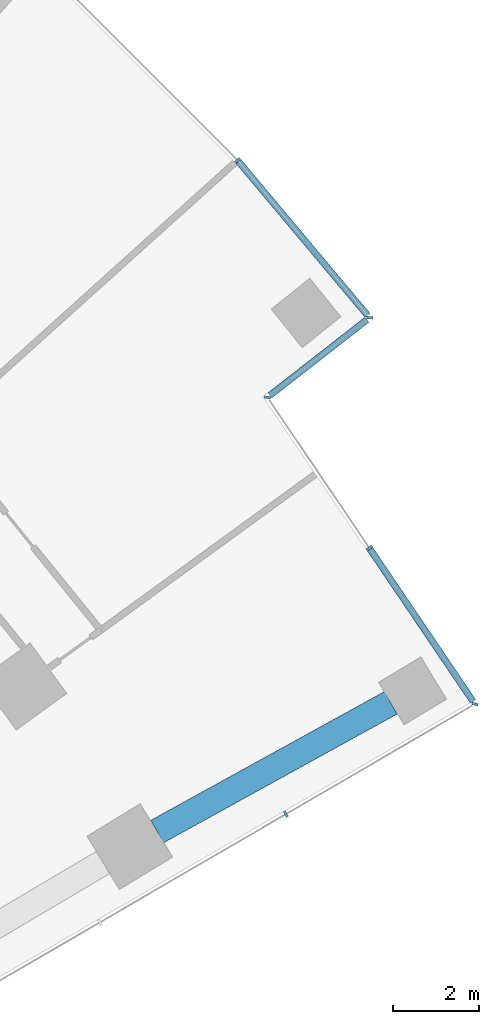
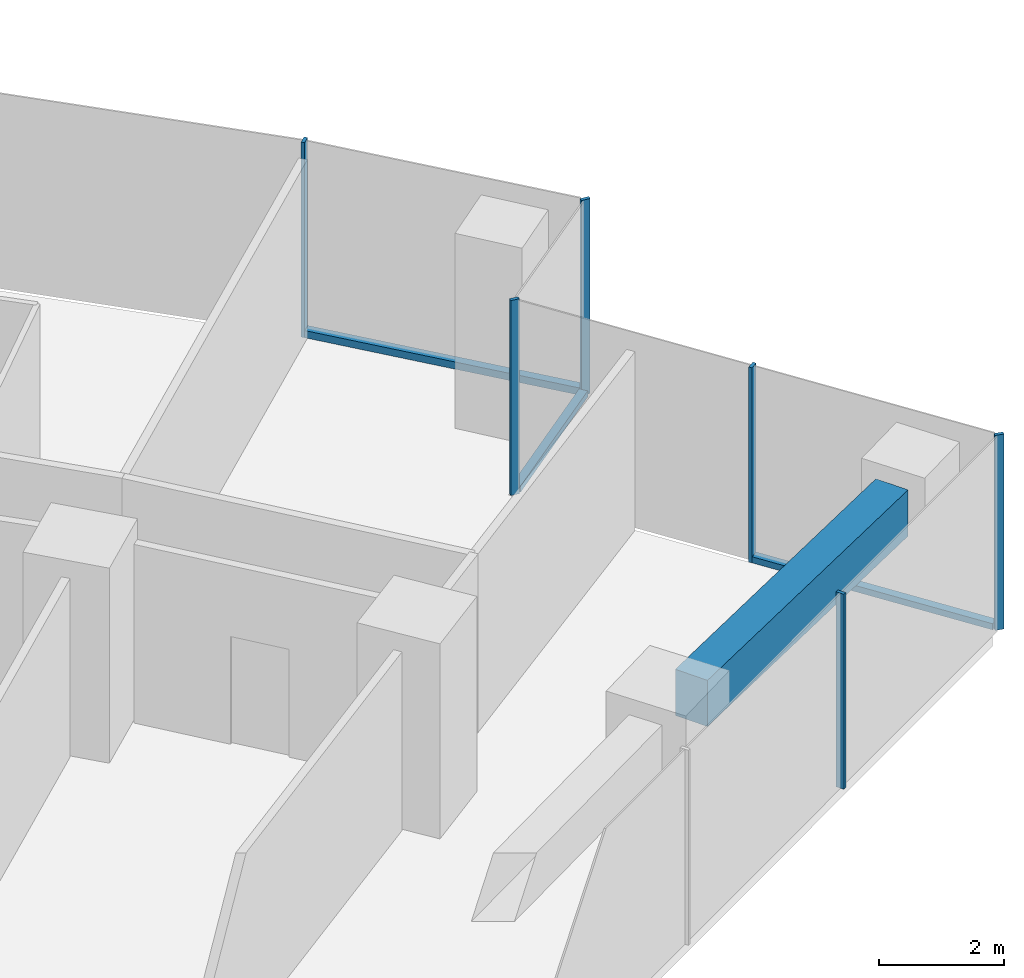
# One storey, part 9 of 21: 9 members, 1 beam, 4 elements without a shape of their own.
"""IFC4 building model written with IfcOpenShell, lengths in metres."""

from ifc_helpers import new_model, si_unit, direction, frame, origin, origin_2d, place, context, subcontext, project, spatial, rectangle, extrude, material, layer, layer_set, material_profile, profile_set, type_object, element, aggregate, save


model = new_model("IFC4")

# Units and contexts
model_context = context("Model", 3, precision=1e-05, world=origin(), true_north=direction((0.0, 1.0)))
body_context = subcontext(model_context, "Body", "Model", "MODEL_VIEW")
ifc_project = project(units=[si_unit("LENGTHUNIT", "METRE"), si_unit("AREAUNIT", "SQUARE_METRE"), si_unit("VOLUMEUNIT", "CUBIC_METRE"), si_unit("PLANEANGLEUNIT", "RADIAN"), si_unit("MASSUNIT", "GRAM", prefix="KILO")], contexts=[model_context])

# Site, building, storey
site_placement = place(None, origin())
site = spatial("IfcSite", under=ifc_project, at=site_placement, CompositionType="ELEMENT")
building_placement = place(site_placement, origin())
building = spatial("IfcBuilding", under=site, at=building_placement, Name="Stone Belt Terrace Tower", CompositionType="ELEMENT")
storey_placement = place(building_placement, frame((0.0, 0.0, 117.39990234375)))
storey = spatial("IfcBuildingStorey", under=building, at=storey_placement, Name="L28", CompositionType="ELEMENT", Elevation=117.39990234375)

# Curtain wall, members
ifc_material_1 = material(Name="Aluminium 6063-T6 anodised frame", Category="aluminium")
ifc_layer_1 = layer(ifc_material_1, 0.14990234375)
ifc_layer_set_1 = layer_set([ifc_layer_1], Name="CW-A unitised convex-face curtain wall")
curtain_wall_type_1 = type_object("IfcCurtainWallType", Name="CW-A unitised convex-face curtain wall", PredefinedType="NOTDEFINED", material=ifc_layer_set_1)
curtain_wall_1_placement = place(storey_placement, origin())
curtain_wall_1 = element("IfcCurtainWall", 1, at=curtain_wall_1_placement, inside=storey, type_object=curtain_wall_type_1, Name="CW-A convex face L28", PredefinedType="NOTDEFINED")
ifc_material_profile_1 = material_profile(ifc_material_1, rectangle(XDim=0.14990234375, YDim=0.06005859375, at=origin_2d()), Name="Aluminium 6063-T6 60x150")
ifc_profile_set_1 = profile_set([ifc_material_profile_1], Name="Aluminium 6063-T6 anodised frame")
member_type_1 = type_object("IfcMemberType", Name="CW-A mullion 60 x 150", PredefinedType="MULLION", material=ifc_profile_set_1)
member_1_placement = place(storey_placement, frame((52.539794921875, 40.89208984375, 0.0), z_axis=(0.0, 0.0, 1.0), x_axis=(-0.994464768622, 0.105070566623, 0.0)))
member_1 = element("IfcMember", 2, at=member_1_placement, type_object=member_type_1, Name="CW-A mullion 1", PredefinedType="MULLION", context=body_context, shape_type="SweptSolid", body=[
    extrude(rectangle(XDim=0.14990234375, YDim=0.06005859375, at=origin_2d()), origin(), (0.0, 0.0, 1.0), 3.800048828125),
])
member_2_placement = place(storey_placement, frame((49.474609375, 44.5478515625, 0.0), z_axis=(0.0, 0.0, 1.0), x_axis=(-0.737400080522, -0.675456231925, 0.0)))
member_2 = element("IfcMember", 3, at=member_2_placement, type_object=member_type_1, Name="CW-A mullion 2", PredefinedType="MULLION", context=body_context, shape_type="SweptSolid", body=[
    extrude(rectangle(XDim=0.14990234375, YDim=0.06005859375, at=origin_2d()), origin(), (0.0, 0.0, 1.0), 3.800048828125),
])
ifc_material_profile_2 = material_profile(ifc_material_1, rectangle(XDim=0.14990234375, YDim=0.139892578125, at=origin_2d()), Name="Aluminium 6063-T6 150x140")
ifc_profile_set_2 = profile_set([ifc_material_profile_2], Name="Aluminium 6063-T6 anodised frame")
member_type_2 = type_object("IfcMemberType", Name="CW-A transom 140 x 150", PredefinedType="USERDEFINED", material=ifc_profile_set_2)
member_3_placement = place(storey_placement, frame((52.49169921875, 40.949462890625, 0.070068359375), z_axis=(-0.642504178028, 0.766282181195, 0.0), x_axis=(-0.766282181195, -0.642504178028, 0.0)))
member_3 = element("IfcMember", 4, at=member_3_placement, type_object=member_type_2, Name="CW-A transom 1.1", ObjectType="TRANSOM", PredefinedType="USERDEFINED", context=body_context, shape_type="SweptSolid", body=[
    extrude(rectangle(XDim=0.14990234375, YDim=0.139892578125, at=origin_2d()), origin(), (0.0, 0.0, 1.0), 4.662841796875),
])
aggregate(curtain_wall_1, [member_1, member_2, member_3])

# Curtain wall, member
ifc_layer_2 = layer(ifc_material_1, 0.14990234375)
ifc_layer_set_2 = layer_set([ifc_layer_2], Name="CW-C stick curtain wall, horn ends and notches")
curtain_wall_type_2 = type_object("IfcCurtainWallType", Name="CW-C stick curtain wall, horn ends and notches", PredefinedType="NOTDEFINED", material=ifc_layer_set_2)
curtain_wall_2_placement = place(storey_placement, origin())
curtain_wall_2 = element("IfcCurtainWall", 5, at=curtain_wall_2_placement, inside=storey, type_object=curtain_wall_type_2, Name="CW-C end face L28", PredefinedType="NOTDEFINED")
ifc_material_profile_3 = material_profile(ifc_material_1, rectangle(XDim=0.14990234375, YDim=0.06005859375, at=origin_2d()), Name="Aluminium 6063-T6 60x150")
ifc_profile_set_3 = profile_set([ifc_material_profile_3], Name="Aluminium 6063-T6 anodised frame")
member_type_3 = type_object("IfcMemberType", Name="CW-C mullion 60 x 150", PredefinedType="MULLION", material=ifc_profile_set_3)
member_4_placement = place(storey_placement, frame((50.595703125, 29.365478515625, 0.0), z_axis=(0.0, 0.0, 1.0), x_axis=(-0.503080901861, 0.864239322284, 0.0)))
member_4 = element("IfcMember", 6, at=member_4_placement, type_object=member_type_3, Name="CW-C mullion 4", PredefinedType="MULLION", context=body_context, shape_type="SweptSolid", body=[
    extrude(rectangle(XDim=0.14990234375, YDim=0.06005859375, at=origin_2d()), origin(), (0.0, 0.0, 1.0), 3.800048828125),
])
aggregate(curtain_wall_2, [member_4])

# Curtain wall, members
curtain_wall_3_placement = place(storey_placement, origin())
curtain_wall_3 = element("IfcCurtainWall", 7, at=curtain_wall_3_placement, inside=storey, type_object=curtain_wall_type_2, Name="CW-C notch face L28", PredefinedType="NOTDEFINED")
member_5_placement = place(storey_placement, frame((54.986328125, 31.921142578125, 0.0), z_axis=(0.0, 0.0, 1.0), x_axis=(-0.974926991266, 0.222524968715, 0.0)))
member_5 = element("IfcMember", 8, at=member_5_placement, type_object=member_type_3, Name="CW-C mullion 1", PredefinedType="MULLION", context=body_context, shape_type="SweptSolid", body=[
    extrude(rectangle(XDim=0.14990234375, YDim=0.06005859375, at=origin_2d()), origin(), (0.0, 0.0, 1.0), 3.800048828125),
])
member_6_placement = place(storey_placement, frame((52.53515625, 35.5439453125, 0.0), z_axis=(0.0, 0.0, 1.0), x_axis=(-0.828244257471, -0.560367245622, 0.0)))
member_6 = element("IfcMember", 9, at=member_6_placement, type_object=member_type_3, Name="CW-C mullion 2", PredefinedType="MULLION", context=body_context, shape_type="SweptSolid", body=[
    extrude(rectangle(XDim=0.14990234375, YDim=0.06005859375, at=origin_2d()), origin(), (0.0, 0.0, 1.0), 3.800048828125),
])

# Curtain wall, member
curtain_wall_4_placement = place(storey_placement, origin())
curtain_wall_4 = element("IfcCurtainWall", 10, at=curtain_wall_4_placement, inside=storey, type_object=curtain_wall_type_2, Name="CW-C notch face L28", PredefinedType="NOTDEFINED")
member_7_placement = place(storey_placement, frame((50.16845703125, 39.0419921875, 0.0), z_axis=(0.0, 0.0, 1.0), x_axis=(-0.987742281651, 0.156093513764, 0.0)))
member_7 = element("IfcMember", 11, at=member_7_placement, type_object=member_type_3, Name="CW-C mullion 1", PredefinedType="MULLION", context=body_context, shape_type="SweptSolid", body=[
    extrude(rectangle(XDim=0.14990234375, YDim=0.06005859375, at=origin_2d()), origin(), (0.0, 0.0, 1.0), 3.800048828125),
])

# Member
ifc_material_profile_4 = material_profile(ifc_material_1, rectangle(XDim=0.14990234375, YDim=0.1201171875, at=origin_2d()), Name="Aluminium 6063-T6 150x120")
ifc_profile_set_4 = profile_set([ifc_material_profile_4], Name="Aluminium 6063-T6 anodised frame")
member_type_4 = type_object("IfcMemberType", Name="CW-C transom 120 x 150", PredefinedType="USERDEFINED", material=ifc_profile_set_4)
member_8_placement = place(storey_placement, frame((54.944091796875, 31.983642578125, 0.06005859375), z_axis=(-0.560388995766, 0.828229541507, 0.0), x_axis=(-0.828229541507, -0.560388995766, 0.0)))
member_8 = element("IfcMember", 12, at=member_8_placement, type_object=member_type_4, Name="CW-C transom 1.1", ObjectType="TRANSOM", PredefinedType="USERDEFINED", context=body_context, shape_type="SweptSolid", body=[
    extrude(rectangle(XDim=0.14990234375, YDim=0.1201171875, at=origin_2d()), origin(), (0.0, 0.0, 1.0), 4.2685546875),
])

aggregate(curtain_wall_3, [member_5, member_6, member_8])

member_9_placement = place(storey_placement, frame((50.22607421875, 39.087158203125, 0.06005859375), z_axis=(0.788505618167, 0.615027552325, 0.0), x_axis=(-0.615027552325, 0.788505618167, 0.0)))
member_9 = element("IfcMember", 13, at=member_9_placement, type_object=member_type_4, Name="CW-C transom 1.1", ObjectType="TRANSOM", PredefinedType="USERDEFINED", context=body_context, shape_type="SweptSolid", body=[
    extrude(rectangle(XDim=0.14990234375, YDim=0.1201171875, at=origin_2d()), origin(), (0.0, 0.0, 1.0), 2.859619140625),
])

aggregate(curtain_wall_4, [member_7, member_9])

# Beam
ifc_material_2 = material(Name="Concrete B60", Category="concrete")
ifc_material_profile_5 = material_profile(ifc_material_2, rectangle(XDim=0.60009765625, YDim=0.89990234375, at=origin_2d()), Name="RC 600x900")
ifc_profile_set_5 = profile_set([ifc_material_profile_5], Name="Concrete B60")
beam_type = type_object("IfcBeamType", Name="Edge beam RC 600x900 B60", PredefinedType="SPANDREL", material=ifc_profile_set_5)
beam_placement = place(storey_placement, frame((47.6083984375, 28.960693359375, 3.030029296875), z_axis=(0.875764462498, 0.482738652094, 0.0), x_axis=(-0.482738652094, 0.875764462498, 0.0)))
element("IfcBeam", 14, at=beam_placement, inside=storey, type_object=beam_type, Name="Edge beam L28 B Q to R", PredefinedType="SPANDREL", context=body_context, shape_type="SweptSolid", body=[
    extrude(rectangle(XDim=0.60009765625, YDim=0.89990234375, at=origin_2d()), origin(), (0.0, 0.0, 1.0), 6.19384765625),
])

save(model, "model.ifc")
